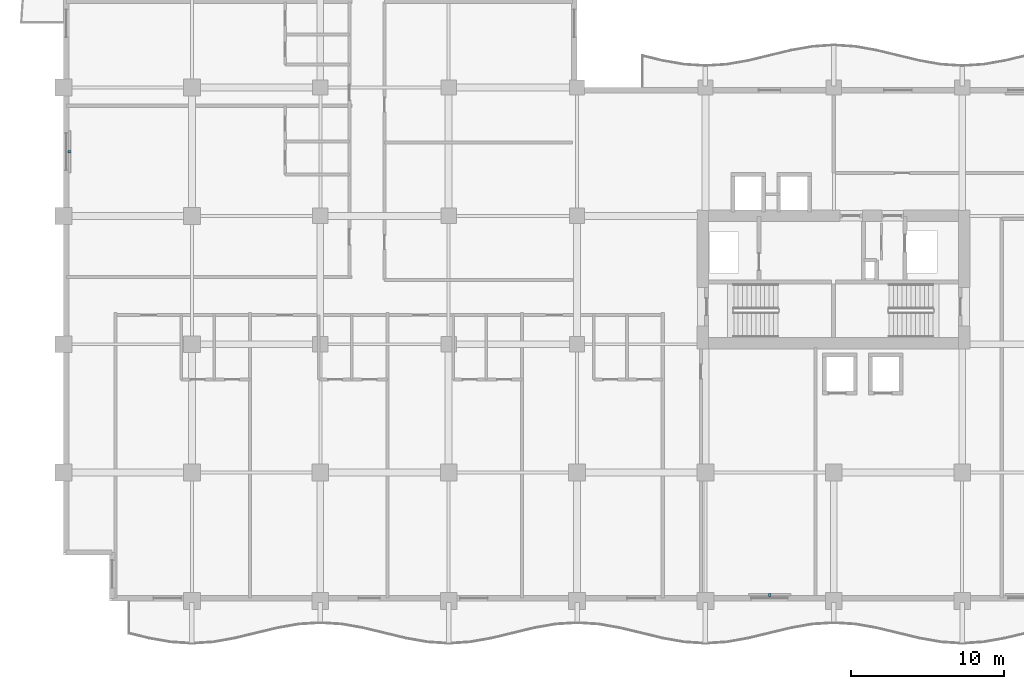
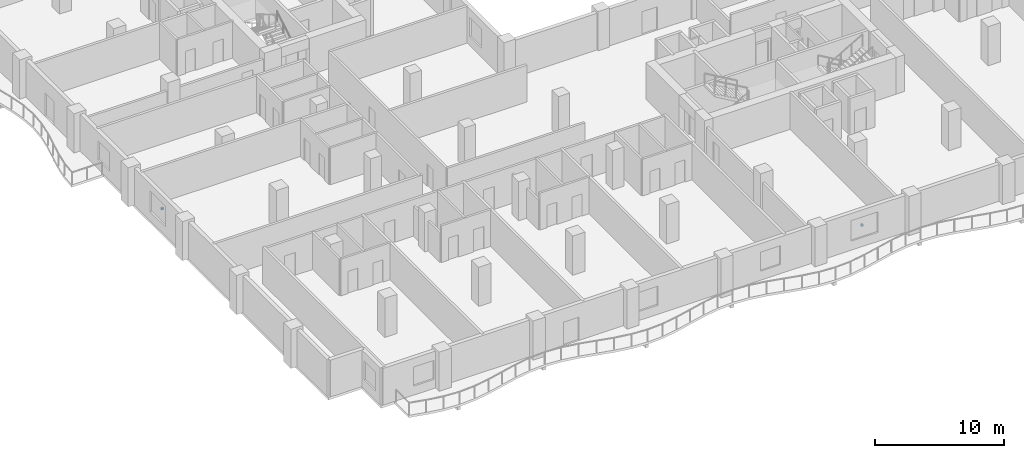
# One storey, part 14 of 20: 2 discrete accessories.
"""IFC4 building model written with IfcOpenShell, lengths in metres."""

import ifcopenshell
import ifcopenshell.guid

model = None  # the IFC model being written
_history = None  # IfcOwnerHistory: only IFC2X3 demands one
_inside = {}  # id of a spatial element -> (the spatial element, [elements in it])
_under = {}  # id of a project, library or spatial element -> (it, [spatial elements below it])
_declared = {}  # id of a project -> (the project, [libraries it declares])
_typed = {}  # id of a type object -> (the type object, [elements of that type])
_made_of = {}  # id of a material, layer set ... -> (it, [elements and type objects made of it])


def new_model(schema):
    """Start an empty IFC model of exactly this schema.

    Asked for "IFC4X3", IfcOpenShell would pick the latest addendum, in which some entities
    have other attributes; the version numbers below select the first issue.
    IFC2X3 requires an IfcOwnerHistory on every rooted entity: one is made here for all.
    """
    global model, _history
    if schema == "IFC4X3":
        model = ifcopenshell.file(schema_version=(4, 3, 0, 0))
    else:
        model = ifcopenshell.file(schema=schema)
    _inside.clear()
    _under.clear()
    _declared.clear()
    _typed.clear()
    _made_of.clear()
    _history = None
    if model.schema == "IFC2X3":
        org = make("IfcOrganization", Name="unknown")
        user = make(
            "IfcPersonAndOrganization",
            ThePerson=make("IfcPerson", FamilyName="unknown"),
            TheOrganization=org,
        )
        app = make(
            "IfcApplication",
            ApplicationDeveloper=org,
            Version="unknown",
            ApplicationFullName="unknown",
            ApplicationIdentifier="unknown",
        )
        _history = make(
            "IfcOwnerHistory",
            OwningUser=user,
            OwningApplication=app,
            ChangeAction="ADDED",
            CreationDate=0,
        )
    return model


def make(cls, **values):
    """One entity of the class cls with the attributes given. An attribute that is None is left unset."""
    return model.create_entity(
        cls, **{name: value for name, value in values.items() if value is not None}
    )


def rooted(cls, **values):
    """An entity with a GlobalId (a new one), such as an element, a storey or a relation."""
    return make(cls, GlobalId=ifcopenshell.guid.new(), OwnerHistory=_history, **values)


def si_unit(unit_type, name, prefix=None):
    """IfcSIUnit, for example si_unit("LENGTHUNIT", "METRE", prefix="MILLI")."""
    return make("IfcSIUnit", UnitType=unit_type, Prefix=prefix, Name=name)


def assignment(units):
    """IfcUnitAssignment: the units of a project."""
    return None if units is None else make("IfcUnitAssignment", Units=units)


def point(xyz):
    """IfcCartesianPoint."""
    return None if xyz is None else make("IfcCartesianPoint", Coordinates=xyz)


def direction(xyz):
    """IfcDirection."""
    return None if xyz is None else make("IfcDirection", DirectionRatios=xyz)


def frame(location, z_axis=None, x_axis=None):
    """IfcAxis2Placement3D, a coordinate frame: its origin and axes. An axis left out is left unset."""
    return make(
        "IfcAxis2Placement3D",
        Location=point(location),
        Axis=direction(z_axis),
        RefDirection=direction(x_axis),
    )


def frame_2d(location, x_axis=None):
    """IfcAxis2Placement2D, a coordinate frame in the plane: its origin and x axis."""
    return make(
        "IfcAxis2Placement2D", Location=point(location), RefDirection=direction(x_axis)
    )


def origin():
    """The frame at (0, 0, 0) with its axes left unset."""
    return frame((0.0, 0.0, 0.0))


def origin_2d():
    """The frame at (0, 0) in the plane with its x axis left unset."""
    return frame_2d((0.0, 0.0))


def place(relative_to, where):
    """IfcLocalPlacement: puts the frame where relative to a parent placement (None: the world)."""
    return make(
        "IfcLocalPlacement", PlacementRelTo=relative_to, RelativePlacement=where
    )


def context(
    kind, dimensions, precision=None, world=None, true_north=None, identifier=None
):
    """IfcGeometricRepresentationContext, for example the 3D "Model" context."""
    return make(
        "IfcGeometricRepresentationContext",
        ContextIdentifier=identifier,
        ContextType=kind,
        CoordinateSpaceDimension=dimensions,
        Precision=precision,
        WorldCoordinateSystem=world,
        TrueNorth=true_north,
    )


def subcontext(parent, identifier, kind, view, scale=None):
    """IfcGeometricRepresentationSubContext, for example "Body" below "Model"."""
    return make(
        "IfcGeometricRepresentationSubContext",
        ContextIdentifier=identifier,
        ContextType=kind,
        ParentContext=parent,
        TargetScale=scale,
        TargetView=view,
    )


def project(units=None, contexts=None):
    """IfcProject with its units and contexts."""
    return rooted(
        "IfcProject",
        Name="project",
        RepresentationContexts=contexts,
        UnitsInContext=assignment(units),
    )


def spatial(cls, under=None, at=None, **own):
    """A site, building, storey or space (cls), placed at a placement, below another one or the project."""
    s = rooted(cls, ObjectPlacement=at, **own)
    if under is not None:
        _under.setdefault(under.id(), (under, []))[1].append(s)
    return s


def profile(cls, at=None, kind="AREA", **sizes):
    """A parametric profile (cls). Its sizes go by their IFC names, for example OverallWidth=200.0."""
    return make(cls, ProfileType=kind, Position=at, **sizes)


def rectangle(**sizes):
    """IfcRectangleProfileDef."""
    return profile("IfcRectangleProfileDef", **sizes)


def extrude(swept, where, along, depth):
    """IfcExtrudedAreaSolid: the profile swept, set in the frame where, extruded along a direction by depth."""
    return make(
        "IfcExtrudedAreaSolid",
        SweptArea=swept,
        Position=where,
        ExtrudedDirection=direction(along),
        Depth=depth,
    )


def shape(context_of_items, identifier, shape_type, items):
    """IfcShapeRepresentation: the items that make up one representation, for example the "Body"."""
    return make(
        "IfcShapeRepresentation",
        ContextOfItems=context_of_items,
        RepresentationIdentifier=identifier,
        RepresentationType=shape_type,
        Items=items,
    )


def material(Name=None, Category=None):
    """IfcMaterial."""
    return make("IfcMaterial", Name=Name, Category=Category)


def made_of(thing, what):
    """Note that an element or type object is made of a material, layer set ...; save() writes the relation."""
    if what is not None:
        _made_of.setdefault(what.id(), (what, []))[1].append(thing)
    return thing


def type_object(cls, material=None, **own):
    """A type object (cls), such as IfcWallType, which elements share."""
    return made_of(rooted(cls, **own), material)


def element(
    cls,
    number,
    at=None,
    inside=None,
    cuts=None,
    type_object=None,
    material=None,
    context=None,
    identifier="Body",
    shape_type=None,
    held_by="IfcProductDefinitionShape",
    body=None,
    shapes=None,
    **own,
):
    """One element of the class cls, such as IfcWall. Its Tag is "e" and its number.

    at: its placement. inside: the storey or other place that contains it. cuts: it is an
    opening in that element (IfcRelVoidsElement). A single representation is given by context,
    identifier, shape_type and body (its items); several are given by shapes. held_by: the class
    of the entity that holds the representations. save() writes the other relations.
    """
    e = rooted(cls, Tag="e%d" % number, ObjectPlacement=at, **own)
    if body is not None:
        shapes = [shape(context, identifier, shape_type, body)]
    if shapes is not None:
        e.Representation = make(held_by, Representations=shapes)
    if inside is not None:
        _inside.setdefault(inside.id(), (inside, []))[1].append(e)
    if cuts is not None:
        rooted(
            "IfcRelVoidsElement", RelatingBuildingElement=cuts, RelatedOpeningElement=e
        )
    if type_object is not None:
        _typed.setdefault(type_object.id(), (type_object, []))[1].append(e)
    return made_of(e, material)


def aggregate(whole, parts):
    """IfcRelAggregates: a whole, such as a stair, and the parts it consists of."""
    return rooted("IfcRelAggregates", RelatingObject=whole, RelatedObjects=parts)


def save(model, path):
    """Write the relations noted so far, then the file.

    IfcRelAggregates (storeys below a building ...), IfcRelContainedInSpatialStructure (elements
    in a storey), IfcRelDefinesByType, IfcRelAssociatesMaterial and IfcRelDeclares: one each for
    every whole, place, type object, material and project.
    """
    for whole, parts in _under.values():
        aggregate(whole, parts)
    for where, things in _inside.values():
        rooted(
            "IfcRelContainedInSpatialStructure",
            RelatedElements=things,
            RelatingStructure=where,
        )
    for kind, things in _typed.values():
        rooted("IfcRelDefinesByType", RelatedObjects=things, RelatingType=kind)
    for what, things in _made_of.values():
        rooted("IfcRelAssociatesMaterial", RelatedObjects=things, RelatingMaterial=what)
    for by, libraries in _declared.values():
        rooted("IfcRelDeclares", RelatingContext=by, RelatedDefinitions=libraries)
    model.write(path)


model = new_model("IFC4")

# Units and contexts
model_context = context("Model", 3, precision=1e-05, world=origin(), true_north=direction((0.0, 1.0)))
body_context = subcontext(model_context, "Body", "Model", "MODEL_VIEW")
ifc_project = project(units=[si_unit("LENGTHUNIT", "METRE"), si_unit("AREAUNIT", "SQUARE_METRE"), si_unit("VOLUMEUNIT", "CUBIC_METRE"), si_unit("PLANEANGLEUNIT", "RADIAN"), si_unit("MASSUNIT", "GRAM", prefix="KILO")], contexts=[model_context])

# Site, building, storey
site_placement = place(None, origin())
site = spatial("IfcSite", under=ifc_project, at=site_placement, CompositionType="ELEMENT")
building_placement = place(site_placement, origin())
building = spatial("IfcBuilding", under=site, at=building_placement, Name="Koriwani Terraces Tower", CompositionType="ELEMENT")
storey_placement = place(building_placement, frame((0.0, 0.0, 175.39990234375)))
storey = spatial("IfcBuildingStorey", under=building, at=storey_placement, Name="L42", CompositionType="ELEMENT", Elevation=175.39990234375)

# Discrete accessories
ifc_material = material(Name="Steel ASTM A572 Grade 50", Category="steel")
discrete_accessory_type = type_object("IfcDiscreteAccessoryType", Name="BAGUETTE_STANDOFF_BRACKET", PredefinedType="BRACKET", material=ifc_material)
for number, where, z_axis, x_axis, name in (
    (1, (0.389892578125, 29.39990234375, 1.64501953125), (0.0, 0.0, 1.0), (0.0, 1.0, 0.0), "L42 Terracotta Baguette Bracket (W-9)"),
    (2, (46.199951171875, 0.389892578125, 1.64501953125), (0.0, 0.0, 1.0), (-1.0, 0.0, 0.0), "L42 Terracotta Baguette Bracket (S-15)"),
):
    element("IfcDiscreteAccessory", number, at=place(storey_placement, frame(where, z_axis=z_axis, x_axis=x_axis)), inside=storey, type_object=discrete_accessory_type, Name=name, PredefinedType="BRACKET", context=body_context, shape_type="SweptSolid", body=[
        extrude(rectangle(XDim=0.159912109375, YDim=0.199951171875, at=origin_2d()), origin(), (0.0, 0.0, 1.0), 0.179931640625),
    ])

save(model, "model.ifc")
